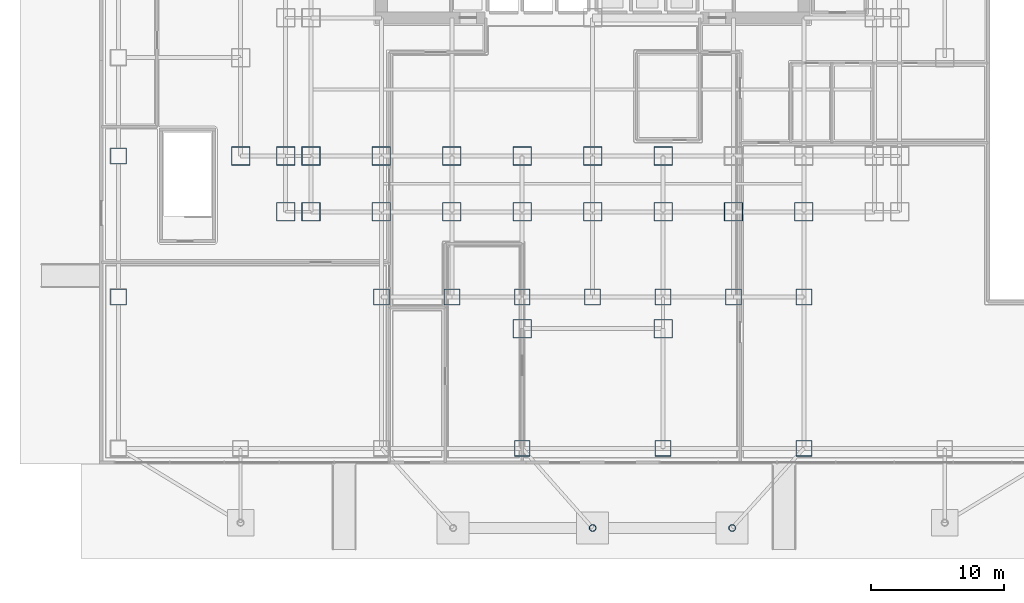
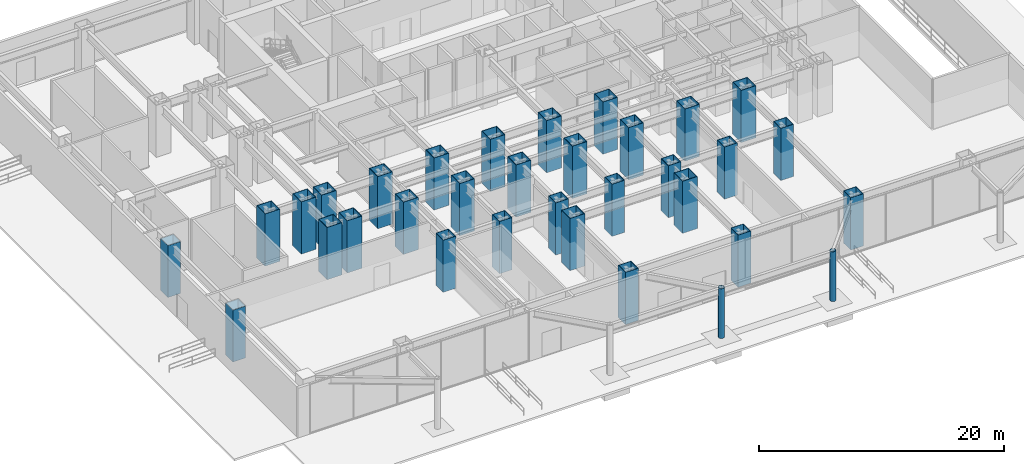
# One storey, part 2 of 18: 33 columns.
"""IFC4 building model written with IfcOpenShell, lengths in metres."""

import ifcopenshell
import ifcopenshell.guid

model = None  # the IFC model being written
_history = None  # IfcOwnerHistory: only IFC2X3 demands one
_inside = {}  # id of a spatial element -> (the spatial element, [elements in it])
_under = {}  # id of a project, library or spatial element -> (it, [spatial elements below it])
_declared = {}  # id of a project -> (the project, [libraries it declares])
_typed = {}  # id of a type object -> (the type object, [elements of that type])
_made_of = {}  # id of a material, layer set ... -> (it, [elements and type objects made of it])


def new_model(schema):
    """Start an empty IFC model of exactly this schema.

    Asked for "IFC4X3", IfcOpenShell would pick the latest addendum, in which some entities
    have other attributes; the version numbers below select the first issue.
    IFC2X3 requires an IfcOwnerHistory on every rooted entity: one is made here for all.
    """
    global model, _history
    if schema == "IFC4X3":
        model = ifcopenshell.file(schema_version=(4, 3, 0, 0))
    else:
        model = ifcopenshell.file(schema=schema)
    _inside.clear()
    _under.clear()
    _declared.clear()
    _typed.clear()
    _made_of.clear()
    _history = None
    if model.schema == "IFC2X3":
        org = make("IfcOrganization", Name="unknown")
        user = make(
            "IfcPersonAndOrganization",
            ThePerson=make("IfcPerson", FamilyName="unknown"),
            TheOrganization=org,
        )
        app = make(
            "IfcApplication",
            ApplicationDeveloper=org,
            Version="unknown",
            ApplicationFullName="unknown",
            ApplicationIdentifier="unknown",
        )
        _history = make(
            "IfcOwnerHistory",
            OwningUser=user,
            OwningApplication=app,
            ChangeAction="ADDED",
            CreationDate=0,
        )
    return model


def make(cls, **values):
    """One entity of the class cls with the attributes given. An attribute that is None is left unset."""
    return model.create_entity(
        cls, **{name: value for name, value in values.items() if value is not None}
    )


def rooted(cls, **values):
    """An entity with a GlobalId (a new one), such as an element, a storey or a relation."""
    return make(cls, GlobalId=ifcopenshell.guid.new(), OwnerHistory=_history, **values)


def si_unit(unit_type, name, prefix=None):
    """IfcSIUnit, for example si_unit("LENGTHUNIT", "METRE", prefix="MILLI")."""
    return make("IfcSIUnit", UnitType=unit_type, Prefix=prefix, Name=name)


def assignment(units):
    """IfcUnitAssignment: the units of a project."""
    return None if units is None else make("IfcUnitAssignment", Units=units)


def point(xyz):
    """IfcCartesianPoint."""
    return None if xyz is None else make("IfcCartesianPoint", Coordinates=xyz)


def direction(xyz):
    """IfcDirection."""
    return None if xyz is None else make("IfcDirection", DirectionRatios=xyz)


def frame(location, z_axis=None, x_axis=None):
    """IfcAxis2Placement3D, a coordinate frame: its origin and axes. An axis left out is left unset."""
    return make(
        "IfcAxis2Placement3D",
        Location=point(location),
        Axis=direction(z_axis),
        RefDirection=direction(x_axis),
    )


def frame_2d(location, x_axis=None):
    """IfcAxis2Placement2D, a coordinate frame in the plane: its origin and x axis."""
    return make(
        "IfcAxis2Placement2D", Location=point(location), RefDirection=direction(x_axis)
    )


def origin():
    """The frame at (0, 0, 0) with its axes left unset."""
    return frame((0.0, 0.0, 0.0))


def origin_2d():
    """The frame at (0, 0) in the plane with its x axis left unset."""
    return frame_2d((0.0, 0.0))


def place(relative_to, where):
    """IfcLocalPlacement: puts the frame where relative to a parent placement (None: the world)."""
    return make(
        "IfcLocalPlacement", PlacementRelTo=relative_to, RelativePlacement=where
    )


def context(
    kind, dimensions, precision=None, world=None, true_north=None, identifier=None
):
    """IfcGeometricRepresentationContext, for example the 3D "Model" context."""
    return make(
        "IfcGeometricRepresentationContext",
        ContextIdentifier=identifier,
        ContextType=kind,
        CoordinateSpaceDimension=dimensions,
        Precision=precision,
        WorldCoordinateSystem=world,
        TrueNorth=true_north,
    )


def subcontext(parent, identifier, kind, view, scale=None):
    """IfcGeometricRepresentationSubContext, for example "Body" below "Model"."""
    return make(
        "IfcGeometricRepresentationSubContext",
        ContextIdentifier=identifier,
        ContextType=kind,
        ParentContext=parent,
        TargetScale=scale,
        TargetView=view,
    )


def project(units=None, contexts=None):
    """IfcProject with its units and contexts."""
    return rooted(
        "IfcProject",
        Name="project",
        RepresentationContexts=contexts,
        UnitsInContext=assignment(units),
    )


def spatial(cls, under=None, at=None, **own):
    """A site, building, storey or space (cls), placed at a placement, below another one or the project."""
    s = rooted(cls, ObjectPlacement=at, **own)
    if under is not None:
        _under.setdefault(under.id(), (under, []))[1].append(s)
    return s


def profile(cls, at=None, kind="AREA", **sizes):
    """A parametric profile (cls). Its sizes go by their IFC names, for example OverallWidth=200.0."""
    return make(cls, ProfileType=kind, Position=at, **sizes)


def hollow_rectangle(**sizes):
    """IfcRectangleHollowProfileDef."""
    return profile("IfcRectangleHollowProfileDef", **sizes)


def hollow_circle(**sizes):
    """IfcCircleHollowProfileDef."""
    return profile("IfcCircleHollowProfileDef", **sizes)


def extrude(swept, where, along, depth):
    """IfcExtrudedAreaSolid: the profile swept, set in the frame where, extruded along a direction by depth."""
    return make(
        "IfcExtrudedAreaSolid",
        SweptArea=swept,
        Position=where,
        ExtrudedDirection=direction(along),
        Depth=depth,
    )


def shape(context_of_items, identifier, shape_type, items):
    """IfcShapeRepresentation: the items that make up one representation, for example the "Body"."""
    return make(
        "IfcShapeRepresentation",
        ContextOfItems=context_of_items,
        RepresentationIdentifier=identifier,
        RepresentationType=shape_type,
        Items=items,
    )


def material(Name=None, Category=None):
    """IfcMaterial."""
    return make("IfcMaterial", Name=Name, Category=Category)


def material_profile(
    of_material, cross_section, Name=None, Category=None, Priority=None
):
    """IfcMaterialProfile: a cross section and its material."""
    return make(
        "IfcMaterialProfile",
        Name=Name,
        Material=of_material,
        Profile=cross_section,
        Priority=Priority,
        Category=Category,
    )


def profile_set(profiles, Name=None, composite=None):
    """IfcMaterialProfileSet."""
    return make(
        "IfcMaterialProfileSet",
        Name=Name,
        MaterialProfiles=profiles,
        CompositeProfile=composite,
    )


def made_of(thing, what):
    """Note that an element or type object is made of a material, layer set ...; save() writes the relation."""
    if what is not None:
        _made_of.setdefault(what.id(), (what, []))[1].append(thing)
    return thing


def type_object(cls, material=None, **own):
    """A type object (cls), such as IfcWallType, which elements share."""
    return made_of(rooted(cls, **own), material)


def element(
    cls,
    number,
    at=None,
    inside=None,
    cuts=None,
    type_object=None,
    material=None,
    context=None,
    identifier="Body",
    shape_type=None,
    held_by="IfcProductDefinitionShape",
    body=None,
    shapes=None,
    **own,
):
    """One element of the class cls, such as IfcWall. Its Tag is "e" and its number.

    at: its placement. inside: the storey or other place that contains it. cuts: it is an
    opening in that element (IfcRelVoidsElement). A single representation is given by context,
    identifier, shape_type and body (its items); several are given by shapes. held_by: the class
    of the entity that holds the representations. save() writes the other relations.
    """
    e = rooted(cls, Tag="e%d" % number, ObjectPlacement=at, **own)
    if body is not None:
        shapes = [shape(context, identifier, shape_type, body)]
    if shapes is not None:
        e.Representation = make(held_by, Representations=shapes)
    if inside is not None:
        _inside.setdefault(inside.id(), (inside, []))[1].append(e)
    if cuts is not None:
        rooted(
            "IfcRelVoidsElement", RelatingBuildingElement=cuts, RelatedOpeningElement=e
        )
    if type_object is not None:
        _typed.setdefault(type_object.id(), (type_object, []))[1].append(e)
    return made_of(e, material)


def aggregate(whole, parts):
    """IfcRelAggregates: a whole, such as a stair, and the parts it consists of."""
    return rooted("IfcRelAggregates", RelatingObject=whole, RelatedObjects=parts)


def save(model, path):
    """Write the relations noted so far, then the file.

    IfcRelAggregates (storeys below a building ...), IfcRelContainedInSpatialStructure (elements
    in a storey), IfcRelDefinesByType, IfcRelAssociatesMaterial and IfcRelDeclares: one each for
    every whole, place, type object, material and project.
    """
    for whole, parts in _under.values():
        aggregate(whole, parts)
    for where, things in _inside.values():
        rooted(
            "IfcRelContainedInSpatialStructure",
            RelatedElements=things,
            RelatingStructure=where,
        )
    for kind, things in _typed.values():
        rooted("IfcRelDefinesByType", RelatedObjects=things, RelatingType=kind)
    for what, things in _made_of.values():
        rooted("IfcRelAssociatesMaterial", RelatedObjects=things, RelatingMaterial=what)
    for by, libraries in _declared.values():
        rooted("IfcRelDeclares", RelatingContext=by, RelatedDefinitions=libraries)
    model.write(path)


model = new_model("IFC4")

# Units and contexts
model_context = context("Model", 3, precision=1e-05, world=origin(), true_north=direction((0.0, 1.0)))
body_context = subcontext(model_context, "Body", "Model", "MODEL_VIEW")
ifc_project = project(units=[si_unit("LENGTHUNIT", "METRE"), si_unit("AREAUNIT", "SQUARE_METRE"), si_unit("VOLUMEUNIT", "CUBIC_METRE"), si_unit("PLANEANGLEUNIT", "RADIAN"), si_unit("MASSUNIT", "GRAM", prefix="KILO")], contexts=[model_context])

# Site, building, storey
site_placement = place(None, origin())
site = spatial("IfcSite", under=ifc_project, at=site_placement, CompositionType="ELEMENT")
building_placement = place(site_placement, origin())
building = spatial("IfcBuilding", under=site, at=building_placement, Name="Qianlan Lanfeng Residences", CompositionType="ELEMENT")
storey_placement = place(building_placement, origin())
storey = spatial("IfcBuildingStorey", under=building, at=storey_placement, Name="L00", CompositionType="ELEMENT", Elevation=0.0)

# Columns
ifc_material_1 = material(Name="Steel SM570 (420 MPa)", Category="steel")
ifc_material_profile_1 = material_profile(ifc_material_1, hollow_rectangle(XDim=1.39990234375, YDim=1.39990234375, WallThickness=0.044921875, at=origin_2d()), Name="BOX 1400x1400x45")
ifc_profile_set_1 = profile_set([ifc_material_profile_1], Name="Steel SM570 (420 MPa)")
column_type_1 = type_object("IfcColumnType", Name="C-B1600", PredefinedType="COLUMN", material=ifc_profile_set_1)
for number, where, z_axis, x_axis, name in (
    (1, (21.199951171875, 1.800048828125, 0.0), (0.0, 0.0, 1.0), (1.0, 0.0, 0.0), "L00 Structural Column P_21.20_1.80"),
    (2, (31.800048828125, 1.800048828125, 0.0), (0.0, 0.0, 1.0), (1.0, 0.0, 0.0), "L00 Structural Column P_31.80_1.80"),
    (3, (10.60009765625, 14.800048828125, 0.0), (0.0, 0.0, 1.0), (1.0, 0.0, 0.0), "L00 Structural Column M_10.60_14.80"),
    (4, (10.60009765625, 10.60009765625, 0.0), (0.0, 0.0, 1.0), (1.0, 0.0, 0.0), "L00 Structural Column G_10.60_10.60"),
    (5, (15.89990234375, 14.800048828125, 0.0), (0.0, 0.0, 1.0), (1.0, 0.0, 0.0), "L00 Structural Column M_15.90_14.80"),
    (6, (15.89990234375, 10.60009765625, 0.0), (0.0, 0.0, 1.0), (1.0, 0.0, 0.0), "L00 Structural Column G_15.90_10.60"),
    (7, (21.199951171875, 14.800048828125, 0.0), (0.0, 0.0, 1.0), (1.0, 0.0, 0.0), "L00 Structural Column M_21.20_14.80"),
    (8, (21.199951171875, 10.60009765625, 0.0), (0.0, 0.0, 1.0), (1.0, 0.0, 0.0), "L00 Structural Column G_21.20_10.60"),
    (9, (26.5, 14.800048828125, 0.0), (0.0, 0.0, 1.0), (1.0, 0.0, 0.0), "L00 Structural Column M_26.50_14.80"),
    (10, (26.5, 10.60009765625, 0.0), (0.0, 0.0, 1.0), (1.0, 0.0, 0.0), "L00 Structural Column G_26.50_10.60"),
    (11, (31.800048828125, 14.800048828125, 0.0), (0.0, 0.0, 1.0), (1.0, 0.0, 0.0), "L00 Structural Column M_31.80_14.80"),
    (12, (31.800048828125, 10.60009765625, 0.0), (0.0, 0.0, 1.0), (1.0, 0.0, 0.0), "L00 Structural Column G_31.80_10.60"),
    (13, (37.10009765625, 10.60009765625, 0.0), (0.0, 0.0, 1.0), (1.0, 0.0, 0.0), "L00 Structural Column G_37.10_10.60"),
    (14, (42.39990234375, 10.60009765625, 0.0), (0.0, 0.0, 1.0), (1.0, 0.0, 0.0), "L00 Structural Column G_42.40_10.60"),
    (15, (3.39990234375, 10.60009765625, 0.0), (0.0, 0.0, 1.0), (1.0, 0.0, 0.0), "L00 Structural Column W_3.40_10.60"),
    (16, (3.39990234375, 14.800048828125, 0.0), (0.0, 0.0, 1.0), (1.0, 0.0, 0.0), "L00 Structural Column W_3.40_14.80"),
    (17, (5.300048828125, 10.60009765625, 0.0), (0.0, 0.0, 1.0), (1.0, 0.0, 0.0), "L00 Structural Column W_5.30_10.60"),
    (18, (5.300048828125, 14.800048828125, 0.0), (0.0, 0.0, 1.0), (1.0, 0.0, 0.0), "L00 Structural Column W_5.30_14.80"),
    (19, (0.0, 14.800048828125, 0.0), (0.0, 0.0, 1.0), (1.0, 0.0, 0.0), "L00 Structural Column P_+0.0_+14.8"),
):
    element("IfcColumn", number, at=place(storey_placement, frame(where, z_axis=z_axis, x_axis=x_axis)), inside=storey, type_object=column_type_1, Name=name, PredefinedType="COLUMN", context=body_context, shape_type="SweptSolid", body=[
        extrude(hollow_rectangle(XDim=1.39990234375, YDim=1.39990234375, WallThickness=0.044921875, at=origin_2d()), origin(), (0.0, 0.0, 1.0), 5.199951171875),
    ])
ifc_material_profile_2 = material_profile(ifc_material_1, hollow_rectangle(XDim=1.199951171875, YDim=1.199951171875, WallThickness=0.0400390625, at=origin_2d()), Name="BOX 1200x1200x40")
ifc_profile_set_2 = profile_set([ifc_material_profile_2], Name="Steel SM570 (420 MPa)")
column_type_2 = type_object("IfcColumnType", Name="CE-B1400", PredefinedType="COLUMN", material=ifc_profile_set_2)
for number, where, z_axis, x_axis, name in (
    (20, (10.60009765625, 4.199951171875, 0.0), (0.0, 0.0, 1.0), (1.0, 0.0, 0.0), "L00 Structural Column S_10.60_4.20"),
    (21, (15.89990234375, 4.199951171875, 0.0), (0.0, 0.0, 1.0), (1.0, 0.0, 0.0), "L00 Structural Column S_15.90_4.20"),
    (22, (21.199951171875, 4.199951171875, 0.0), (0.0, 0.0, 1.0), (1.0, 0.0, 0.0), "L00 Structural Column S_21.20_4.20"),
    (23, (26.5, 4.199951171875, 0.0), (0.0, 0.0, 1.0), (1.0, 0.0, 0.0), "L00 Structural Column S_26.50_4.20"),
    (24, (31.800048828125, 4.199951171875, 0.0), (0.0, 0.0, 1.0), (1.0, 0.0, 0.0), "L00 Structural Column S_31.80_4.20"),
    (25, (37.10009765625, 4.199951171875, 0.0), (0.0, 0.0, 1.0), (1.0, 0.0, 0.0), "L00 Structural Column S_37.10_4.20"),
    (26, (42.39990234375, 4.199951171875, 0.0), (0.0, 0.0, 1.0), (1.0, 0.0, 0.0), "L00 Structural Column S_42.40_4.20"),
    (27, (21.199951171875, -7.199951171875, 0.0), (0.0, 0.0, 1.0), (1.0, 0.0, 0.0), "L00 Structural Column P_+21.2_-7.2"),
    (28, (31.800048828125, -7.199951171875, 0.0), (0.0, 0.0, 1.0), (1.0, 0.0, 0.0), "L00 Structural Column P_+31.8_-7.2"),
    (29, (42.39990234375, -7.199951171875, 0.0), (0.0, 0.0, 1.0), (1.0, 0.0, 0.0), "L00 Structural Column P_+42.4_-7.2"),
):
    element("IfcColumn", number, at=place(storey_placement, frame(where, z_axis=z_axis, x_axis=x_axis)), inside=storey, type_object=column_type_2, Name=name, PredefinedType="COLUMN", context=body_context, shape_type="SweptSolid", body=[
        extrude(hollow_rectangle(XDim=1.199951171875, YDim=1.199951171875, WallThickness=0.0400390625, at=origin_2d()), origin(), (0.0, 0.0, 1.0), 5.199951171875),
    ])
for number, where, z_axis, x_axis, name in (
    (30, (-9.199951171875, 4.199951171875, 0.0), (0.0, 0.0, 1.0), (1.0, 0.0, 0.0), "L00 Structural Column P_-9.2_+4.2"),
    (31, (-9.199951171875, 14.800048828125, 0.0), (0.0, 0.0, 1.0), (1.0, 0.0, 0.0), "L00 Structural Column P_-9.2_+14.8"),
):
    element("IfcColumn", number, at=place(storey_placement, frame(where, z_axis=z_axis, x_axis=x_axis)), inside=storey, type_object=column_type_2, Name=name, PredefinedType="COLUMN", context=body_context, shape_type="SweptSolid", body=[
        extrude(hollow_rectangle(XDim=1.199951171875, YDim=1.199951171875, WallThickness=0.0400390625, at=origin_2d()), origin(), (0.0, 0.0, 1.0), 5.1640625),
    ])
ifc_material_2 = material(Name="Steel SN490B", Category="steel")
ifc_material_profile_3 = material_profile(ifc_material_2, hollow_circle(Radius=0.25390625, WallThickness=0.02197265625, at=origin_2d()), Name="CHS 508x22")
ifc_profile_set_3 = profile_set([ifc_material_profile_3], Name="Steel SN490B")
column_type_3 = type_object("IfcColumnType", Name="CE-P508", PredefinedType="COLUMN", material=ifc_profile_set_3)
for number, where, z_axis, x_axis, name in (
    (32, (26.5, -13.199951171875, 0.0), (0.0, 0.0, 1.0), (1.0, 0.0, 0.0), "L00 Entrance Canopy Column CAN-C1"),
    (33, (37.0, -13.199951171875, 0.0), (0.0, 0.0, 1.0), (1.0, 0.0, 0.0), "L00 Entrance Canopy Column CAN-E1"),
):
    element("IfcColumn", number, at=place(storey_placement, frame(where, z_axis=z_axis, x_axis=x_axis)), inside=storey, type_object=column_type_3, Name=name, PredefinedType="COLUMN", context=body_context, shape_type="SweptSolid", body=[
        extrude(hollow_circle(Radius=0.25390625, WallThickness=0.02197265625, at=origin_2d()), origin(), (0.0, 0.0, 1.0), 4.9599609375),
    ])

save(model, "model.ifc")
